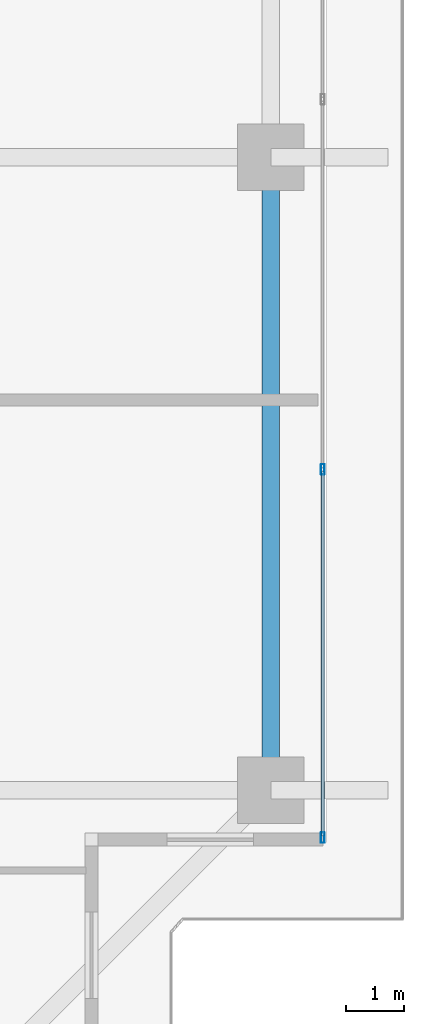
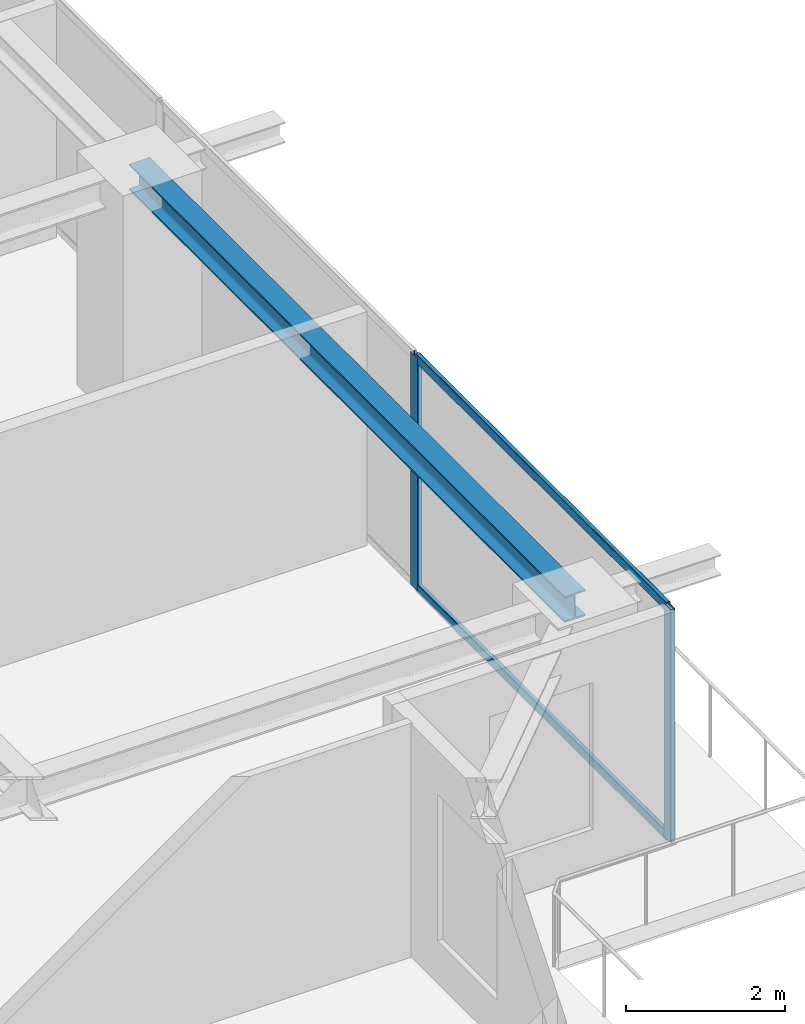
# One storey, part 14 of 38: 4 members, 1 beam, 1 element without a shape of its own.
"""IFC4 building model written with IfcOpenShell, lengths in metres."""

from ifc_helpers import new_model, si_unit, direction, frame, origin, origin_2d, place, context, subcontext, project, spatial, hollow_rectangle, i_section, extrude, source, transform, mapped, material, layer, layer_set, material_profile, profile_set, type_object, element, aggregate, save


model = new_model("IFC4")

# Units and contexts
model_context = context("Model", 3, precision=1e-05, world=origin(), true_north=direction((0.0, 1.0)))
body_context = subcontext(model_context, "Body", "Model", "MODEL_VIEW")
ifc_project = project(units=[si_unit("LENGTHUNIT", "METRE"), si_unit("AREAUNIT", "SQUARE_METRE"), si_unit("VOLUMEUNIT", "CUBIC_METRE"), si_unit("PLANEANGLEUNIT", "RADIAN"), si_unit("MASSUNIT", "GRAM", prefix="KILO")], contexts=[model_context])

# Site, building, storey
site_placement = place(None, origin())
site = spatial("IfcSite", under=ifc_project, at=site_placement, CompositionType="ELEMENT")
building_placement = place(site_placement, origin())
building = spatial("IfcBuilding", under=site, at=building_placement, Name="Serunith Strait Residences", CompositionType="ELEMENT")
storey_placement = place(building_placement, frame((0.0, 0.0, 237.39990234375)))
storey = spatial("IfcBuildingStorey", under=building, at=storey_placement, Name="L59", CompositionType="ELEMENT", Elevation=237.39990234375)

# Beam
ifc_material_1 = material(Name="Steel S355J2", Category="steel")
ifc_material_profile_1 = material_profile(ifc_material_1, i_section(OverallWidth=0.300048828125, OverallDepth=0.39990234375, WebThickness=0.013427734375, FlangeThickness=0.02392578125, FilletRadius=0.027099609375, at=origin_2d()), Name="HEB 400")
ifc_profile_set_1 = profile_set([ifc_material_profile_1], Name="Steel S355J2")
beam_type = type_object("IfcBeamType", Name="BM-HEB400", PredefinedType="BEAM", material=ifc_profile_set_1)
shared_shape_1 = source(origin(), body_context, "Body", "SweptSolid", [
    extrude(i_section(OverallWidth=0.300048828125, OverallDepth=0.39990234375, WebThickness=0.013427734375, FlangeThickness=0.02392578125, FilletRadius=0.027099609375, at=origin_2d()), origin(), (0.0, 0.0, 1.0), 10.949951171875),
])
beam_placement = place(storey_placement, frame((56.5, 10.050048828125, 3.38720703125), z_axis=(0.0, 1.0, 0.0), x_axis=(-1.0, 0.0, 0.0)))
element("IfcBeam", 1, at=beam_placement, inside=storey, type_object=beam_type, Name="L59 Perimeter Ring Beam 05", PredefinedType="BEAM", context=body_context, shape_type="MappedRepresentation", body=[
    mapped(shared_shape_1, transform((0.0, 0.0, 0.0), scale=1.0)),
])

# Curtain wall, members
ifc_material_2 = material(Name="Pale-Champagne Anodised Aluminium", Category="aluminium")
ifc_layer = layer(ifc_material_2, 0.199951171875, Name="Pale-Champagne Anodised Aluminium")
ifc_layer_set = layer_set([ifc_layer], Name="Pale-Champagne Anodised Aluminium")
curtain_wall_type = type_object("IfcCurtainWallType", Name="CW-SYS4", PredefinedType="NOTDEFINED", material=ifc_layer_set)
curtain_wall_placement = place(storey_placement, origin())
curtain_wall = element("IfcCurtainWall", 2, at=curtain_wall_placement, inside=storey, type_object=curtain_wall_type, Name="L59 E Unitised Fritted Curtain Wall", PredefinedType="NOTDEFINED")
ifc_material_profile_2 = material_profile(ifc_material_2, hollow_rectangle(XDim=0.06005859375, YDim=0.139892578125, WallThickness=0.00341796875, InnerFilletRadius=0.00537109375, OuterFilletRadius=0.0087890625, at=origin_2d()), Name="ALU 140x60x3.5")
ifc_profile_set_2 = profile_set([ifc_material_profile_2], Name="Pale-Champagne Anodised Aluminium")
member_type_1 = type_object("IfcMemberType", Name="CW-SYS4-TRAN", PredefinedType="USERDEFINED", material=ifc_profile_set_2)
shared_shape_2 = source(origin(), body_context, "Body", "SweptSolid", [
    extrude(hollow_rectangle(XDim=0.06005859375, YDim=0.139892578125, WallThickness=0.00341796875, InnerFilletRadius=0.00537109375, OuterFilletRadius=0.0087890625, at=origin_2d()), origin(), (0.0, 0.0, 1.0), 6.302490234375),
])
member_1_placement = place(storey_placement, frame((57.39990234375, 9.264892578125, 0.030029296875), z_axis=(0.0, 1.0, 0.0), x_axis=(-1.0, 0.0, 0.0)))
member_1 = element("IfcMember", 3, at=member_1_placement, type_object=member_type_1, Name="CW-4 transom 1.1", ObjectType="TRANSOM", PredefinedType="USERDEFINED", context=body_context, shape_type="MappedRepresentation", body=[
    mapped(shared_shape_2, transform((0.0, 0.0, 0.0), scale=1.0)),
])
member_2_placement = place(storey_placement, frame((57.39990234375, 9.264892578125, 3.545166015625), z_axis=(0.0, 1.0, 0.0), x_axis=(-1.0, 0.0, 0.0)))
member_2 = element("IfcMember", 4, at=member_2_placement, type_object=member_type_1, Name="CW-4 transom 1.2", ObjectType="TRANSOM", PredefinedType="USERDEFINED", context=body_context, shape_type="MappedRepresentation", body=[
    mapped(shared_shape_2, transform((0.0, 0.0, 0.0), scale=1.0)),
])
ifc_material_profile_3 = material_profile(ifc_material_2, hollow_rectangle(XDim=0.06494140625, YDim=0.179931640625, WallThickness=0.00341796875, InnerFilletRadius=0.00537109375, OuterFilletRadius=0.0087890625, at=origin_2d()), Name="ALU 180x65x3.5")
ifc_profile_set_3 = profile_set([ifc_material_profile_3], Name="Pale-Champagne Anodised Aluminium")
member_type_2 = type_object("IfcMemberType", Name="CW-SYS4-MULL", PredefinedType="MULLION", material=ifc_profile_set_3)
shared_shape_3 = source(origin(), body_context, "Body", "SweptSolid", [
    extrude(hollow_rectangle(XDim=0.06494140625, YDim=0.179931640625, WallThickness=0.00341796875, InnerFilletRadius=0.00537109375, OuterFilletRadius=0.0087890625, at=origin_2d()), origin(), (0.0, 0.0, 1.0), 3.5751953125),
])
member_3_placement = place(storey_placement, frame((57.39990234375, 9.232421875, 0.0), z_axis=(0.0, 0.0, 1.0), x_axis=(-1.0, 0.0, 0.0)))
member_3 = element("IfcMember", 5, at=member_3_placement, type_object=member_type_2, Name="CW-4 mullion 1", PredefinedType="MULLION", context=body_context, shape_type="MappedRepresentation", body=[
    mapped(shared_shape_3, transform((0.0, 0.0, 0.0), scale=1.0)),
])
member_4_placement = place(storey_placement, frame((57.39990234375, 15.60009765625, 0.0), z_axis=(0.0, 0.0, 1.0), x_axis=(-1.0, 0.0, 0.0)))
member_4 = element("IfcMember", 6, at=member_4_placement, type_object=member_type_2, Name="CW-4 mullion 2", PredefinedType="MULLION", context=body_context, shape_type="MappedRepresentation", body=[
    mapped(shared_shape_3, transform((0.0, 0.0, 0.0), scale=1.0)),
])
aggregate(curtain_wall, [member_3, member_4, member_1, member_2])

save(model, "model.ifc")
